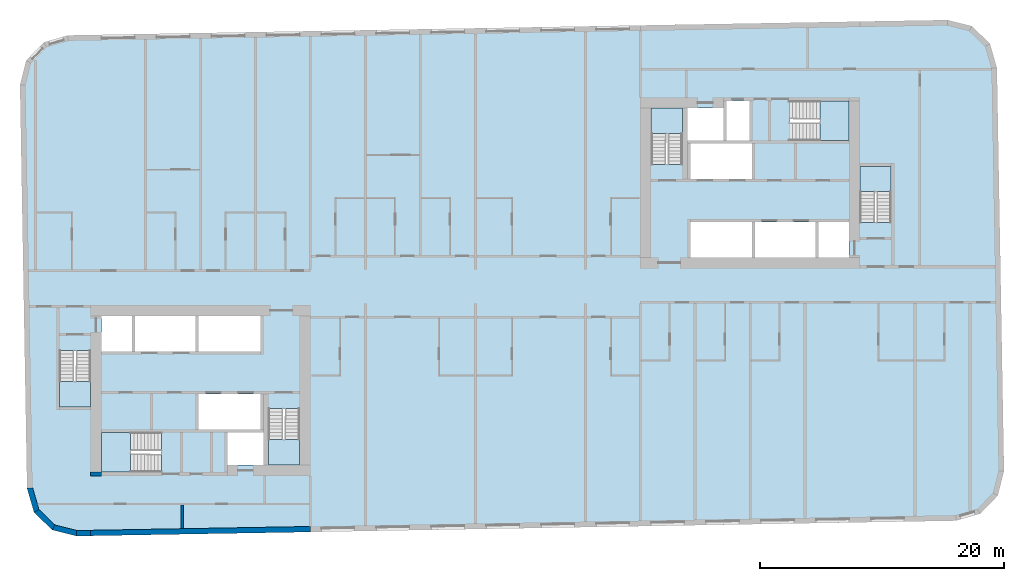
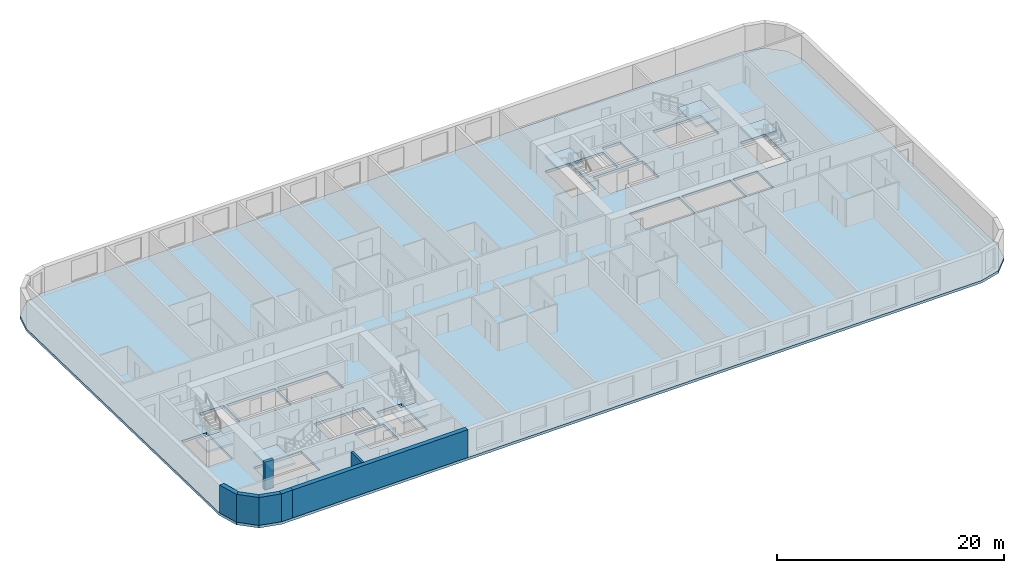
# One storey, part 1 of 11: 7 slabs, 7 walls, 6 elements without a shape of their own.
"""IFC4 building model written with IfcOpenShell, lengths in metres."""

from ifc_helpers import new_model, si_unit, direction, frame, frame_2d, origin, place, context, subcontext, project, spatial, polyline, rectangle, outline, extrude, material, layer, layer_set, type_object, element, aggregate, save


model = new_model("IFC4")

# Units and contexts
model_context = context("Model", 3, precision=1e-05, world=origin(), true_north=direction((0.0, 1.0)))
body_context = subcontext(model_context, "Body", "Model", "MODEL_VIEW")
ifc_project = project(units=[si_unit("LENGTHUNIT", "METRE"), si_unit("AREAUNIT", "SQUARE_METRE"), si_unit("VOLUMEUNIT", "CUBIC_METRE"), si_unit("PLANEANGLEUNIT", "RADIAN"), si_unit("MASSUNIT", "GRAM", prefix="KILO")], contexts=[model_context])

# Site, building, storey
site_placement = place(None, origin())
site = spatial("IfcSite", under=ifc_project, at=site_placement, CompositionType="ELEMENT")
building_placement = place(site_placement, origin())
building = spatial("IfcBuilding", under=site, at=building_placement, Name="Kajstack Hotel Tower", CompositionType="ELEMENT")
storey_placement = place(building_placement, frame((0.0, 0.0, 254.0)))
storey = spatial("IfcBuildingStorey", under=building, at=storey_placement, Name="L63", CompositionType="ELEMENT", Elevation=254.0)

# Slab
ifc_material_1 = material(Name="Concrete C40/50", Category="concrete")
ifc_layer_1 = layer(ifc_material_1, 0.280029296875)
ifc_layer_set_1 = layer_set([ifc_layer_1], Name="RC slab 280 C40/50 guest")
slab_type_1 = type_object("IfcSlabType", Name="RC slab 280 C40/50 guest", PredefinedType="FLOOR", material=ifc_layer_set_1)
slab_1_placement = place(storey_placement, frame((0.0, 0.0, -0.280029296875)))
element("IfcSlab", 1, at=slab_1_placement, inside=storey, type_object=slab_type_1, Name="S-slab-L63", PredefinedType="FLOOR", context=body_context, shape_type="SweptSolid", body=[
    extrude(outline(polyline([(-37.281982421875, 16.49951171875), (-36.705810546875, -16.49560546875), (-36.13525390625, -18.48583984375), (-34.645751953125, -19.92431640625), (-32.63671875, -20.42529296875), (39.352294921875, -19.168701171875), (41.342529296875, -18.597900390625), (42.781005859375, -17.1083984375), (43.281982421875, -15.099365234375), (42.705810546875, 17.8955078125), (42.13525390625, 19.885986328125), (40.645751953125, 21.32421875), (38.63671875, 21.8251953125), (-33.352294921875, 20.568603515625), (-35.342529296875, 19.997802734375), (-36.781005859375, 18.50830078125), (-37.281982421875, 16.49951171875)]), holes=[polyline([(-22.64990234375, -11.699951171875), (-22.64990234375, -8.800048828125), (-17.60009765625, -8.800048828125), (-17.60009765625, -11.699951171875), (-22.64990234375, -11.699951171875)]), polyline([(-27.85009765625, -5.300048828125), (-27.85009765625, -2.39990234375), (-22.89990234375, -2.39990234375), (-22.89990234375, -5.300048828125), (-27.85009765625, -5.300048828125)]), polyline([(-22.64990234375, -5.300048828125), (-22.64990234375, -2.39990234375), (-17.60009765625, -2.39990234375), (-17.60009765625, -5.300048828125), (-22.64990234375, -5.300048828125)]), polyline([(-20.300048828125, -14.60009765625), (-17.35009765625, -14.60009765625), (-17.35009765625, -11.949951171875), (-20.300048828125, -11.949951171875), (-20.300048828125, -14.60009765625)]), polyline([(-30.60009765625, -5.300048828125), (-28.10009765625, -5.300048828125), (-28.10009765625, -2.39990234375), (-30.60009765625, -2.39990234375), (-30.60009765625, -5.300048828125)]), polyline([(17.60009765625, 8.800048828125), (17.60009765625, 11.699951171875), (22.64990234375, 11.699951171875), (22.64990234375, 8.800048828125), (17.60009765625, 8.800048828125)]), polyline([(22.89990234375, 2.39990234375), (22.89990234375, 5.300048828125), (27.85009765625, 5.300048828125), (27.85009765625, 2.39990234375), (22.89990234375, 2.39990234375)]), polyline([(17.60009765625, 2.39990234375), (17.60009765625, 5.300048828125), (22.64990234375, 5.300048828125), (22.64990234375, 2.39990234375), (17.60009765625, 2.39990234375)]), polyline([(20.300048828125, 14.60009765625), (17.35009765625, 14.60009765625), (17.35009765625, 11.949951171875), (20.300048828125, 11.949951171875), (20.300048828125, 14.60009765625)]), polyline([(30.60009765625, 5.300048828125), (28.10009765625, 5.300048828125), (28.10009765625, 2.39990234375), (30.60009765625, 2.39990234375), (30.60009765625, 5.300048828125)]), polyline([(-34.050048828125, -9.85009765625), (-31.5, -9.85009765625), (-31.5, -5.25), (-34.050048828125, -5.25), (-34.050048828125, -9.85009765625)]), polyline([(-16.949951171875, -14.60009765625), (-14.39990234375, -14.60009765625), (-14.39990234375, -10.0), (-16.949951171875, -10.0), (-16.949951171875, -14.60009765625)]), polyline([(-30.60009765625, -15.199951171875), (-25.699951171875, -15.199951171875), (-25.699951171875, -11.949951171875), (-30.60009765625, -11.949951171875), (-30.60009765625, -15.199951171875)]), polyline([(34.050048828125, 9.85009765625), (31.5, 9.85009765625), (31.5, 5.25), (34.050048828125, 5.25), (34.050048828125, 9.85009765625)]), polyline([(16.949951171875, 14.60009765625), (14.39990234375, 14.60009765625), (14.39990234375, 10.0), (16.949951171875, 10.0), (16.949951171875, 14.60009765625)]), polyline([(30.60009765625, 15.199951171875), (25.699951171875, 15.199951171875), (25.699951171875, 11.949951171875), (30.60009765625, 11.949951171875), (30.60009765625, 15.199951171875)]), polyline([(22.425048828125, 15.199951171875), (22.425048828125, 11.949951171875), (20.550048828125, 11.949951171875), (20.550048828125, 15.199951171875), (22.425048828125, 15.199951171875)])]), origin(), (0.0, 0.0, 1.0), 0.280029296875),
])

# Stair, slab
stair_type_1 = type_object("IfcStairType", Name="Exit stair 1200", PredefinedType="HALF_TURN_STAIR", material=ifc_material_1)
stair_1_placement = place(storey_placement, origin())
stair_1 = element("IfcStair", 2, at=stair_1_placement, inside=storey, type_object=stair_type_1, Name="L63 stair W1", PredefinedType="HALF_TURN_STAIR")
ifc_layer_2 = layer(ifc_material_1, 0.199951171875)
ifc_layer_set_2 = layer_set([ifc_layer_2], Name="Stair landing 200")
slab_type_2 = type_object("IfcSlabType", Name="Stair landing 200", PredefinedType="LANDING", material=ifc_layer_set_2)
slab_2_placement = place(storey_placement, frame((0.0, 0.0, 1.449951171875)))
slab_2 = element("IfcSlab", 3, at=slab_2_placement, type_object=slab_type_2, Name="W1 landing 1", PredefinedType="LANDING", context=body_context, shape_type="SweptSolid", body=[
    extrude(outline(polyline([(-34.050048828125, -7.77001953125), (-34.050048828125, -9.85009765625), (-31.5, -9.85009765625), (-31.5, -7.77001953125), (-34.050048828125, -7.77001953125)])), origin(), (0.0, 0.0, 1.0), 0.199951171875),
])
aggregate(stair_1, [slab_2])

stair_2_placement = place(storey_placement, origin())
stair_2 = element("IfcStair", 4, at=stair_2_placement, inside=storey, type_object=stair_type_1, Name="L63 stair W2", PredefinedType="HALF_TURN_STAIR")
slab_3_placement = place(storey_placement, frame((0.0, 0.0, 1.449951171875)))
slab_3 = element("IfcSlab", 5, at=slab_3_placement, type_object=slab_type_2, Name="W2 landing 1", PredefinedType="LANDING", context=body_context, shape_type="SweptSolid", body=[
    extrude(outline(polyline([(-16.949951171875, -12.52001953125), (-16.949951171875, -14.60009765625), (-14.39990234375, -14.60009765625), (-14.39990234375, -12.52001953125), (-16.949951171875, -12.52001953125)])), origin(), (0.0, 0.0, 1.0), 0.199951171875),
])
aggregate(stair_2, [slab_3])

stair_type_2 = type_object("IfcStairType", Name="Exit stair 1500", PredefinedType="HALF_TURN_STAIR", material=ifc_material_1)
stair_3_placement = place(storey_placement, origin())
stair_3 = element("IfcStair", 6, at=stair_3_placement, inside=storey, type_object=stair_type_2, Name="L63 stair W3", PredefinedType="HALF_TURN_STAIR")
slab_4_placement = place(storey_placement, frame((0.0, 0.0, 1.449951171875)))
slab_4 = element("IfcSlab", 7, at=slab_4_placement, type_object=slab_type_2, Name="W3 landing 1", PredefinedType="LANDING", context=body_context, shape_type="SweptSolid", body=[
    extrude(outline(polyline([(-28.219970703125, -11.949951171875), (-30.60009765625, -11.949951171875), (-30.60009765625, -15.199951171875), (-28.219970703125, -15.199951171875), (-28.219970703125, -11.949951171875)])), origin(), (0.0, 0.0, 1.0), 0.199951171875),
])
aggregate(stair_3, [slab_4])

stair_4_placement = place(storey_placement, origin())
stair_4 = element("IfcStair", 8, at=stair_4_placement, inside=storey, type_object=stair_type_1, Name="L63 stair E1", PredefinedType="HALF_TURN_STAIR")
slab_5_placement = place(storey_placement, frame((0.0, 0.0, 1.449951171875)))
slab_5 = element("IfcSlab", 9, at=slab_5_placement, type_object=slab_type_2, Name="E1 landing 1", PredefinedType="LANDING", context=body_context, shape_type="SweptSolid", body=[
    extrude(outline(polyline([(34.050048828125, 7.77001953125), (34.050048828125, 9.85009765625), (31.5, 9.85009765625), (31.5, 7.77001953125), (34.050048828125, 7.77001953125)])), origin(), (0.0, 0.0, 1.0), 0.199951171875),
])
aggregate(stair_4, [slab_5])

stair_5_placement = place(storey_placement, origin())
stair_5 = element("IfcStair", 10, at=stair_5_placement, inside=storey, type_object=stair_type_1, Name="L63 stair E2", PredefinedType="HALF_TURN_STAIR")
slab_6_placement = place(storey_placement, frame((0.0, 0.0, 1.449951171875)))
slab_6 = element("IfcSlab", 11, at=slab_6_placement, type_object=slab_type_2, Name="E2 landing 1", PredefinedType="LANDING", context=body_context, shape_type="SweptSolid", body=[
    extrude(outline(polyline([(16.949951171875, 12.52001953125), (16.949951171875, 14.60009765625), (14.39990234375, 14.60009765625), (14.39990234375, 12.52001953125), (16.949951171875, 12.52001953125)])), origin(), (0.0, 0.0, 1.0), 0.199951171875),
])
aggregate(stair_5, [slab_6])

stair_6_placement = place(storey_placement, origin())
stair_6 = element("IfcStair", 12, at=stair_6_placement, inside=storey, type_object=stair_type_2, Name="L63 stair E3", PredefinedType="HALF_TURN_STAIR")
slab_7_placement = place(storey_placement, frame((0.0, 0.0, 1.449951171875)))
slab_7 = element("IfcSlab", 13, at=slab_7_placement, type_object=slab_type_2, Name="E3 landing 1", PredefinedType="LANDING", context=body_context, shape_type="SweptSolid", body=[
    extrude(outline(polyline([(28.219970703125, 11.949951171875), (30.60009765625, 11.949951171875), (30.60009765625, 15.199951171875), (28.219970703125, 15.199951171875), (28.219970703125, 11.949951171875)])), origin(), (0.0, 0.0, 1.0), 0.199951171875),
])
aggregate(stair_6, [slab_7])

# Walls
ifc_material_2 = material(Name="Concrete C60/75", Category="concrete")
ifc_layer_3 = layer(ifc_material_2, 0.89990234375)
ifc_layer_set_3 = layer_set([ifc_layer_3], Name="Core wall 900")
wall_type_1 = type_object("IfcWallType", Name="Core wall 900", PredefinedType="SHEAR", material=ifc_layer_set_3)
wall_1_placement = place(storey_placement, frame((-31.5, -15.35009765625, 0.0), z_axis=(0.0, 0.0, 1.0), x_axis=(1.0, 0.0, 0.0)))
element("IfcWall", 14, at=wall_1_placement, inside=storey, type_object=wall_type_1, Name="Core wall W RSW", PredefinedType="SHEAR", context=body_context, shape_type="SweptSolid", body=[
    extrude(rectangle(XDim=0.89990234375, YDim=0.300048828125, at=frame_2d((0.449951171875, 0.0))), origin(), (0.0, 0.0, 1.0), 3.0),
])
ifc_layer_4 = layer(ifc_material_1, 0.449951171875)
ifc_layer_set_4 = layer_set([ifc_layer_4], Name="EW-CORE")
wall_type_2 = type_object("IfcWallType", Name="EW-CORE", PredefinedType="SOLIDWALL", material=ifc_layer_set_4)
wall_2_placement = place(storey_placement, frame((-31.50390625, -20.180419921875, 0.0), z_axis=(0.0, 0.0, 1.0), x_axis=(0.999847677887, 0.017453395744, 0.0)))
element("IfcWall", 15, at=wall_2_placement, inside=storey, type_object=wall_type_2, Name="E-wall-L63-04-01", PredefinedType="SOLIDWALL", context=body_context, shape_type="SweptSolid", body=[
    extrude(rectangle(XDim=18.002685546875, YDim=0.449951171875, at=frame_2d((9.00146484375, 0.0))), origin(), (0.0, 0.0, 1.0), 3.0),
])
ifc_material_3 = material(Name="Terracotta-faced brick masonry", Category="masonry")
ifc_layer_5 = layer(ifc_material_3, 0.449951171875)
ifc_layer_set_5 = layer_set([ifc_layer_5], Name="EW-TERRA")
wall_type_3 = type_object("IfcWallType", Name="EW-TERRA", PredefinedType="SOLIDWALL", material=ifc_layer_set_5)
wall_3_placement = place(storey_placement, frame((-36.489501953125, -16.43359375, 0.0), z_axis=(0.0, 0.0, 1.0), x_axis=(0.275577603096, -0.961278827745, 0.0)))
element("IfcWall", 16, at=wall_3_placement, inside=storey, type_object=wall_type_3, Name="E-wall-L63-01-00", PredefinedType="SOLIDWALL", context=body_context, shape_type="SweptSolid", body=[
    extrude(outline(polyline([(0.0, -0.22509765625), (2.070556640625, -0.22509765625), (1.949951171875, 0.22509765625), (0.12060546875, 0.224853515625), (0.0, -0.22509765625)])), origin(), (0.0, 0.0, 1.0), 3.0),
])
wall_4_placement = place(storey_placement, frame((-35.97900390625, -18.323974609375, 0.0), z_axis=(0.0, 0.0, 1.0), x_axis=(0.719320193998, -0.694678672846, 0.0)))
element("IfcWall", 17, at=wall_4_placement, inside=storey, type_object=wall_type_3, Name="E-wall-L63-02-00", PredefinedType="SOLIDWALL", context=body_context, shape_type="SweptSolid", body=[
    extrude(outline(polyline([(0.000244140625, -0.22509765625), (2.07080078125, -0.22509765625), (1.9501953125, 0.22509765625), (0.12060546875, 0.22509765625), (0.000244140625, -0.22509765625)])), origin(), (0.0, 0.0, 1.0), 3.0),
])
wall_5_placement = place(storey_placement, frame((-34.59130859375, -19.7060546875, 0.0), z_axis=(0.0, 0.0, 1.0), x_axis=(0.970315655375, -0.241841950319, 0.0)))
element("IfcWall", 18, at=wall_5_placement, inside=storey, type_object=wall_type_3, Name="E-wall-L63-03-00", PredefinedType="SOLIDWALL", context=body_context, shape_type="SweptSolid", body=[
    extrude(outline(polyline([(0.0, -0.224853515625), (2.070556640625, -0.22509765625), (1.949951171875, 0.224853515625), (0.12060546875, 0.22509765625), (0.0, -0.224853515625)])), origin(), (0.0, 0.0, 1.0), 3.0),
])
wall_6_placement = place(storey_placement, frame((-32.640625, -20.2001953125, 0.0), z_axis=(0.0, 0.0, 1.0), x_axis=(0.99984870815, 0.017394275206, 0.0)))
element("IfcWall", 19, at=wall_6_placement, inside=storey, type_object=wall_type_3, Name="E-wall-L63-04-00", PredefinedType="SOLIDWALL", context=body_context, shape_type="SweptSolid", body=[
    extrude(rectangle(XDim=1.136962890625, YDim=0.449951171875, at=frame_2d((0.568359375, 0.0))), origin(), (0.0, 0.0, 1.0), 3.0),
])
ifc_material_4 = material(Name="Gypsum board on steel studs, mineral wool", Category="steel")
ifc_layer_6 = layer(ifc_material_4, 0.199951171875)
ifc_layer_set_6 = layer_set([ifc_layer_6], Name="Service partition 200")
wall_type_4 = type_object("IfcWallType", Name="Service partition 200", PredefinedType="PARTITIONING", material=ifc_layer_set_6)
wall_7_placement = place(storey_placement, frame((-24.0, -19.824462890625, 0.0), z_axis=(0.0, 0.0, 1.0), x_axis=(0.0, 1.0, 0.0)))
element("IfcWall", 20, at=wall_7_placement, inside=storey, type_object=wall_type_4, Name="Partition W SLP0", PredefinedType="PARTITIONING", context=body_context, shape_type="SweptSolid", body=[
    extrude(rectangle(XDim=1.924560546875, YDim=0.199951171875, at=frame_2d((0.96240234375, 0.0))), origin(), (0.0, 0.0, 1.0), 3.0),
])

save(model, "model.ifc")
